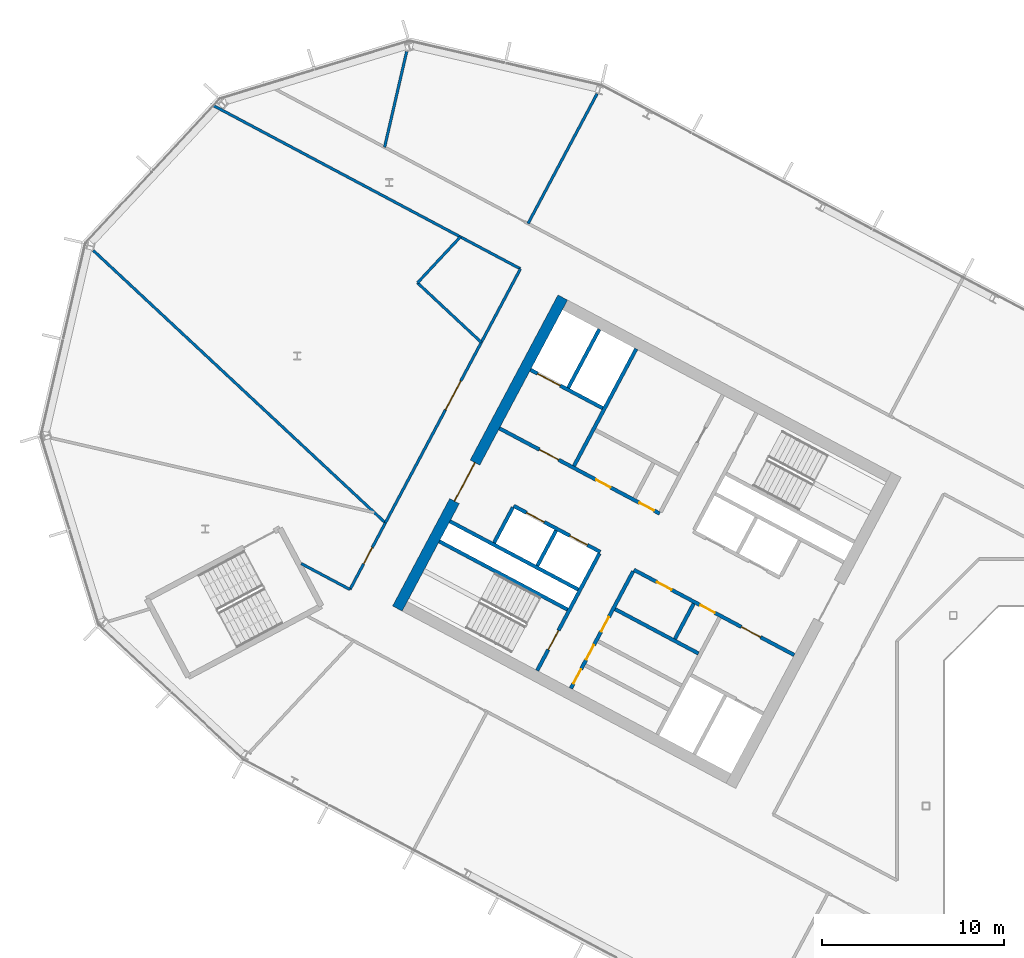
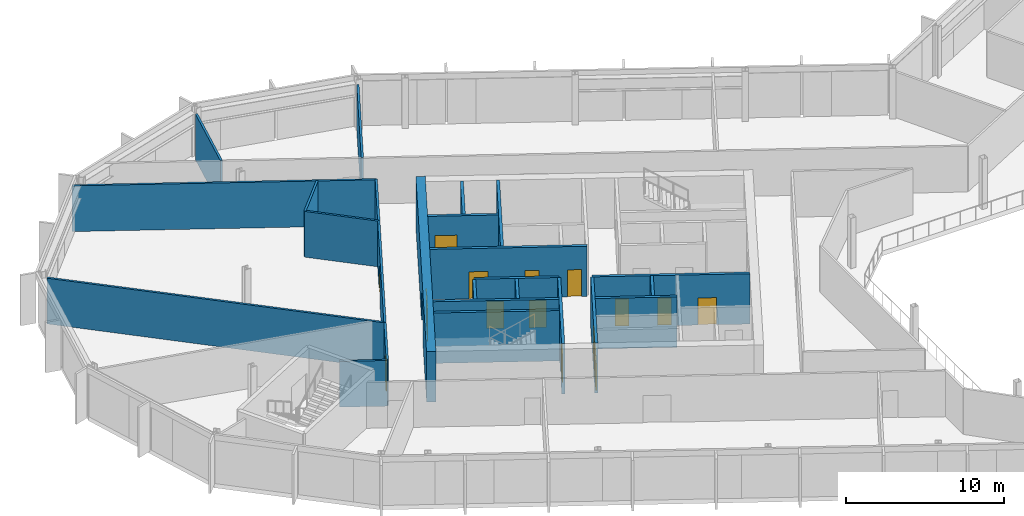
# One storey, part 14 of 27: 24 walls, 16 doors, 16 openings.
"""IFC4 building model written with IfcOpenShell, lengths in metres."""

from ifc_helpers import new_model, si_unit, direction, frame, frame_2d, origin, place, context, subcontext, project, spatial, rectangle, extrude, material, layer, layer_set, type_object, element, fill, save


model = new_model("IFC4")

# Units and contexts
model_context = context("Model", 3, precision=1e-05, world=origin(), true_north=direction((0.0, 1.0)))
body_context = subcontext(model_context, "Body", "Model", "MODEL_VIEW")
ifc_project = project(units=[si_unit("LENGTHUNIT", "METRE"), si_unit("AREAUNIT", "SQUARE_METRE"), si_unit("VOLUMEUNIT", "CUBIC_METRE"), si_unit("PLANEANGLEUNIT", "RADIAN"), si_unit("MASSUNIT", "GRAM", prefix="KILO")], contexts=[model_context])

# Site, building, storey
site_placement = place(None, origin())
site = spatial("IfcSite", under=ifc_project, at=site_placement, CompositionType="ELEMENT")
building_placement = place(site_placement, origin())
building = spatial("IfcBuilding", under=site, at=building_placement, Name="Cormorant Relay Tower", CompositionType="ELEMENT")
storey_placement = place(building_placement, frame((0.0, 0.0, 240.300048828125)))
storey = spatial("IfcBuildingStorey", under=building, at=storey_placement, Name="L53", CompositionType="ELEMENT", Elevation=240.300048828125)

# Walls
ifc_material_1 = material(Name="Concrete 40 MPa", Category="concrete")
ifc_layer_1 = layer(ifc_material_1, 0.199951171875)
ifc_layer_set_1 = layer_set([ifc_layer_1], Name="Core internal wall 200")
wall_type_1 = type_object("IfcWallType", Name="Core internal wall 200", PredefinedType="SOLIDWALL", material=ifc_layer_set_1)
for number, where, z_axis, x_axis, name in (
    (1, (-24.79052734375, 11.142822265625, 0.0), (0.0, 0.0, 1.0), (-0.469487830541, -0.882938942948, 0.0), "L53 core A shaft and room wall"),
    (2, (-32.3662109375, 15.1708984375, 0.0), (0.0, 0.0, 1.0), (-0.469487830541, -0.882938942948, 0.0), "L53 core A shaft and room wall"),
):
    element("IfcWall", number, at=place(storey_placement, frame(where, z_axis=z_axis, x_axis=x_axis)), inside=storey, type_object=wall_type_1, Name=name, PredefinedType="SOLIDWALL", context=body_context, shape_type="SweptSolid", body=[
        extrude(rectangle(XDim=2.2001953125, YDim=0.199951171875, at=frame_2d((1.10009765625, 0.0))), origin(), (0.0, 0.0, 1.0), 3.89990234375),
    ])

# Wall, openings, doors
ifc_material_2 = material(Name="Concrete 50 MPa", Category="concrete")
ifc_layer_2 = layer(ifc_material_2, 0.199951171875)
ifc_layer_set_2 = layer_set([ifc_layer_2], Name="Core shaft wall 200")
wall_type_2 = type_object("IfcWallType", Name="Core shaft wall 200", PredefinedType="SHEAR", material=ifc_layer_set_2)
wall_1_placement = place(storey_placement, frame((-28.128173828125, 12.91748046875, 0.0), z_axis=(0.0, 0.0, 1.0), x_axis=(-0.469454336211, -0.882956752176, 0.0)))
wall_1 = element("IfcWall", 3, at=wall_1_placement, inside=storey, type_object=wall_type_2, Name="L53 core A shaft wall", PredefinedType="SHEAR", context=body_context, shape_type="SweptSolid", body=[
    extrude(rectangle(XDim=7.300048828125, YDim=0.199951171875, at=frame_2d((3.64990234375, 0.0))), origin(), (0.0, 0.0, 1.0), 3.89990234375),
])
opening_1_placement = place(wall_1_placement, frame((2.85009765625, 0.0, 0.0)))
opening_1 = element("IfcOpeningElement", 4, at=opening_1_placement, cuts=wall_1, Name="Opening CDD-289", PredefinedType="OPENING", context=body_context, shape_type="SweptSolid", body=[
    extrude(rectangle(XDim=0.89990234375, YDim=2.10009765625, at=frame_2d((0.449951171875, 1.050048828125))), frame((0.0, 0.10986328125, 0.0), z_axis=(0.0, -1.0, 0.0), x_axis=(1.0, 0.0, 0.0)), (0.0, 0.0, 1.0), 0.219970703125),
])
opening_2_placement = place(wall_1_placement, frame((4.60009765625, 0.0, 0.0)))
opening_2 = element("IfcOpeningElement", 5, at=opening_2_placement, cuts=wall_1, Name="Opening CDD-290", PredefinedType="OPENING", context=body_context, shape_type="SweptSolid", body=[
    extrude(rectangle(XDim=0.89990234375, YDim=2.10009765625, at=frame_2d((0.449951171875, 1.050048828125))), frame((0.0, 0.10986328125, 0.0), z_axis=(0.0, -1.0, 0.0), x_axis=(1.0, 0.0, 0.0)), (0.0, 0.0, 1.0), 0.219970703125),
])
opening_3_placement = place(wall_1_placement, frame((6.10009765625, 0.0, 0.0)))
opening_3 = element("IfcOpeningElement", 6, at=opening_3_placement, cuts=wall_1, Name="Opening CDD-291", PredefinedType="OPENING", context=body_context, shape_type="SweptSolid", body=[
    extrude(rectangle(XDim=0.89990234375, YDim=2.10009765625, at=frame_2d((0.449951171875, 1.050048828125))), frame((0.0, 0.10986328125, 0.0), z_axis=(0.0, -1.0, 0.0), x_axis=(1.0, 0.0, 0.0)), (0.0, 0.0, 1.0), 0.219970703125),
])
ifc_material_3 = material(Name="Steel fire door", Category="steel")
door_type_1 = type_object("IfcDoorType", Name="Core room door 900x2100", OperationType="SINGLE_SWING_LEFT", PredefinedType="DOOR", material=ifc_material_3)
door_1_placement = place(opening_1_placement, origin())
door_1 = element("IfcDoor", 7, at=door_1_placement, inside=storey, type_object=door_type_1, Name="Core room door 900x2100", OperationType="SINGLE_SWING_LEFT", OverallHeight=2.10009765625, OverallWidth=0.89990234375, PredefinedType="DOOR", context=body_context, shape_type="SweptSolid", body=[
    extrude(rectangle(XDim=0.89990234375, YDim=2.10009765625, at=frame_2d((0.449951171875, 1.050048828125))), frame((0.0, 0.02490234375, 0.0), z_axis=(0.0, -1.0, 0.0), x_axis=(1.0, 0.0, 0.0)), (0.0, 0.0, 1.0), 0.050048828125),
])
fill(opening_1, door_1)
door_2_placement = place(opening_2_placement, origin())
door_2 = element("IfcDoor", 8, at=door_2_placement, inside=storey, type_object=door_type_1, Name="Core room door 900x2100", OperationType="SINGLE_SWING_LEFT", OverallHeight=2.10009765625, OverallWidth=0.89990234375, PredefinedType="DOOR", context=body_context, shape_type="SweptSolid", body=[
    extrude(rectangle(XDim=0.89990234375, YDim=2.10009765625, at=frame_2d((0.449951171875, 1.050048828125))), frame((0.0, 0.02490234375, 0.0), z_axis=(0.0, -1.0, 0.0), x_axis=(1.0, 0.0, 0.0)), (0.0, 0.0, 1.0), 0.050048828125),
])
fill(opening_2, door_2)
door_3_placement = place(opening_3_placement, origin())
door_3 = element("IfcDoor", 9, at=door_3_placement, inside=storey, type_object=door_type_1, Name="Core room door 900x2100", OperationType="SINGLE_SWING_LEFT", OverallHeight=2.10009765625, OverallWidth=0.89990234375, PredefinedType="DOOR", context=body_context, shape_type="SweptSolid", body=[
    extrude(rectangle(XDim=0.89990234375, YDim=2.10009765625, at=frame_2d((0.449951171875, 1.050048828125))), frame((0.0, 0.02490234375, 0.0), z_axis=(0.0, -1.0, 0.0), x_axis=(1.0, 0.0, 0.0)), (0.0, 0.0, 1.0), 0.050048828125),
])
fill(opening_3, door_3)

# Wall, opening, door
wall_2_placement = place(storey_placement, frame((-29.982421875, 13.9033203125, 0.0), z_axis=(0.0, 0.0, 1.0), x_axis=(-0.469454336211, -0.882956752176, 0.0)))
wall_2 = element("IfcWall", 10, at=wall_2_placement, inside=storey, type_object=wall_type_2, Name="L53 core A shaft wall", PredefinedType="SHEAR", context=body_context, shape_type="SweptSolid", body=[
    extrude(rectangle(XDim=7.300048828125, YDim=0.199951171875, at=frame_2d((3.64990234375, 0.0))), origin(), (0.0, 0.0, 1.0), 3.89990234375),
])
opening_4_placement = place(wall_2_placement, frame((4.800048828125, 0.0, 0.0)))
opening_4 = element("IfcOpeningElement", 11, at=opening_4_placement, cuts=wall_2, Name="Opening CDB-039", PredefinedType="OPENING", context=body_context, shape_type="SweptSolid", body=[
    extrude(rectangle(XDim=1.199951171875, YDim=2.10009765625, at=frame_2d((0.60009765625, 1.050048828125))), frame((0.0, 0.10986328125, 0.0), z_axis=(0.0, -1.0, 0.0), x_axis=(1.0, 0.0, 0.0)), (0.0, 0.0, 1.0), 0.219970703125),
])
ifc_material_4 = material(Name="Steel fire door", Category="steel")
door_type_2 = type_object("IfcDoorType", Name="Core stair door 1200x2100", OperationType="SINGLE_SWING_LEFT", PredefinedType="DOOR", material=ifc_material_4)
door_4_placement = place(opening_4_placement, frame((1.199951171875, 0.0, 0.0), z_axis=(0.0, 0.0, 1.0), x_axis=(-1.0, 0.0, 0.0)))
door_4 = element("IfcDoor", 12, at=door_4_placement, inside=storey, type_object=door_type_2, Name="Core stair door 1200x2100", OperationType="SINGLE_SWING_RIGHT", OverallHeight=2.10009765625, OverallWidth=1.199951171875, PredefinedType="DOOR", context=body_context, shape_type="SweptSolid", body=[
    extrude(rectangle(XDim=1.199951171875, YDim=2.10009765625, at=frame_2d((0.60009765625, 1.050048828125))), frame((0.0, 0.02490234375, 0.0), z_axis=(0.0, -1.0, 0.0), x_axis=(1.0, 0.0, 0.0)), (0.0, 0.0, 1.0), 0.050048828125),
])
fill(opening_4, door_4)

# Walls
wall_3_placement = place(storey_placement, frame((-27.955322265625, 25.170654296875, 0.0), z_axis=(0.0, 0.0, 1.0), x_axis=(-0.469480409012, -0.88294288918, 0.0)))
element("IfcWall", 13, at=wall_3_placement, inside=storey, type_object=wall_type_2, Name="L53 core A shaft wall", PredefinedType="SHEAR", context=body_context, shape_type="SweptSolid", body=[
    extrude(rectangle(XDim=7.300048828125, YDim=0.199951171875, at=frame_2d((3.64990234375, 0.0))), origin(), (0.0, 0.0, 1.0), 3.89990234375),
])
wall_4_placement = place(storey_placement, frame((-34.750244140625, 16.4384765625, 0.0), z_axis=(0.0, 0.0, 1.0), x_axis=(-0.469401318492, -0.882984938828, 0.0)))
element("IfcWall", 14, at=wall_4_placement, inside=storey, type_object=wall_type_2, Name="L53 core A shaft wall", PredefinedType="SHEAR", context=body_context, shape_type="SweptSolid", body=[
    extrude(rectangle(XDim=2.199951171875, YDim=0.199951171875, at=frame_2d((1.10009765625, 0.0))), origin(), (0.0, 0.0, 1.0), 3.89990234375),
])
wall_5_placement = place(storey_placement, frame((-29.986083984375, 26.250244140625, 0.0), z_axis=(0.0, 0.0, 1.0), x_axis=(-0.469494272526, -0.882935517501, 0.0)))
element("IfcWall", 15, at=wall_5_placement, inside=storey, type_object=wall_type_2, Name="L53 core A shaft wall", PredefinedType="SHEAR", context=body_context, shape_type="SweptSolid", body=[
    extrude(rectangle(XDim=3.64990234375, YDim=0.199951171875, at=frame_2d((1.824951171875, 0.0))), origin(), (0.0, 0.0, 1.0), 3.89990234375),
])

# Wall, opening, door
wall_6_placement = place(storey_placement, frame((-29.80419921875, 21.906494140625, 0.0), z_axis=(0.0, 0.0, 1.0), x_axis=(-0.882960433586, 0.469447412093, 0.0)))
wall_6 = element("IfcWall", 16, at=wall_6_placement, inside=storey, type_object=wall_type_2, Name="L53 core A shaft wall", PredefinedType="SHEAR", context=body_context, shape_type="SweptSolid", body=[
    extrude(rectangle(XDim=4.5, YDim=0.199951171875, at=frame_2d((2.25, 0.0))), origin(), (0.0, 0.0, 1.0), 3.89990234375),
])
opening_5_placement = place(wall_6_placement, frame((2.64990234375, 0.0, 0.0)))
opening_5 = element("IfcOpeningElement", 17, at=opening_5_placement, cuts=wall_6, Name="Opening LD3-015", PredefinedType="OPENING", context=body_context, shape_type="SweptSolid", body=[
    extrude(rectangle(XDim=1.39990234375, YDim=2.39990234375, at=frame_2d((0.699951171875, 1.199951171875))), frame((0.0, 0.10986328125, 0.0), z_axis=(0.0, -1.0, 0.0), x_axis=(1.0, 0.0, 0.0)), (0.0, 0.0, 1.0), 0.219970703125),
])
ifc_material_5 = material(Name="Stainless steel 316", Category="steel")
door_type_3 = type_object("IfcDoorType", Name="Lift landing door 1400x2400", OperationType="DOUBLE_DOOR_SLIDING", PredefinedType="DOOR", material=ifc_material_5)
door_5_placement = place(opening_5_placement, origin())
door_5 = element("IfcDoor", 18, at=door_5_placement, inside=storey, type_object=door_type_3, Name="SV1 landing door", OperationType="DOUBLE_DOOR_SLIDING", OverallHeight=2.39990234375, OverallWidth=1.39990234375, PredefinedType="DOOR", context=body_context, shape_type="SweptSolid", body=[
    extrude(rectangle(XDim=1.39990234375, YDim=2.39990234375, at=frame_2d((0.699951171875, 1.199951171875))), frame((0.0, 0.02490234375, 0.0), z_axis=(0.0, -1.0, 0.0), x_axis=(1.0, 0.0, 0.0)), (0.0, 0.0, 1.0), 0.050048828125),
])
fill(opening_5, door_5)

# Wall, openings, doors
wall_7_placement = place(storey_placement, frame((-26.66162109375, 16.1015625, 0.0), z_axis=(0.0, 0.0, 1.0), x_axis=(-0.882940221191, 0.469485426614, 0.0)))
wall_7 = element("IfcWall", 19, at=wall_7_placement, inside=storey, type_object=wall_type_2, Name="L53 core A shaft wall", PredefinedType="SHEAR", context=body_context, shape_type="SweptSolid", body=[
    extrude(rectangle(XDim=10.0, YDim=0.199951171875, at=frame_2d((5.0, 0.0))), origin(), (0.0, 0.0, 1.0), 3.89990234375),
])
opening_6_placement = place(wall_7_placement, frame((6.300048828125, 0.0, 0.0)))
opening_6 = element("IfcOpeningElement", 20, at=opening_6_placement, cuts=wall_7, Name="Opening CDC-034", PredefinedType="OPENING", context=body_context, shape_type="SweptSolid", body=[
    extrude(rectangle(XDim=1.199951171875, YDim=2.10009765625, at=frame_2d((0.60009765625, 1.050048828125))), frame((0.0, 0.10986328125, 0.0), z_axis=(0.0, -1.0, 0.0), x_axis=(1.0, 0.0, 0.0)), (0.0, 0.0, 1.0), 0.219970703125),
])
opening_7_placement = place(wall_7_placement, frame((0.360107421875, 0.0, 0.0)))
opening_7 = element("IfcOpeningElement", 21, at=opening_7_placement, cuts=wall_7, Name="Opening CDD-234", PredefinedType="OPENING", context=body_context, shape_type="SweptSolid", body=[
    extrude(rectangle(XDim=0.89990234375, YDim=2.10009765625, at=frame_2d((0.449951171875, 1.050048828125))), frame((0.0, 0.10986328125, 0.0), z_axis=(0.0, -1.0, 0.0), x_axis=(1.0, 0.0, 0.0)), (0.0, 0.0, 1.0), 0.219970703125),
])
opening_8_placement = place(wall_7_placement, frame((3.06005859375, 0.0, 0.0)))
opening_8 = element("IfcOpeningElement", 22, at=opening_8_placement, cuts=wall_7, Name="Opening CDD-288", PredefinedType="OPENING", context=body_context, shape_type="SweptSolid", body=[
    extrude(rectangle(XDim=0.89990234375, YDim=2.10009765625, at=frame_2d((0.449951171875, 1.050048828125))), frame((0.0, 0.10986328125, 0.0), z_axis=(0.0, -1.0, 0.0), x_axis=(1.0, 0.0, 0.0)), (0.0, 0.0, 1.0), 0.219970703125),
])
ifc_material_6 = material(Name="Steel fire door", Category="steel")
door_type_4 = type_object("IfcDoorType", Name="Core lobby door 1200x2100", OperationType="SINGLE_SWING_LEFT", PredefinedType="DOOR", material=ifc_material_6)
door_6_placement = place(opening_6_placement, origin())
door_6 = element("IfcDoor", 23, at=door_6_placement, inside=storey, type_object=door_type_4, Name="Core lobby door 1200x2100", OperationType="SINGLE_SWING_LEFT", OverallHeight=2.10009765625, OverallWidth=1.199951171875, PredefinedType="DOOR", context=body_context, shape_type="SweptSolid", body=[
    extrude(rectangle(XDim=1.199951171875, YDim=2.10009765625, at=frame_2d((0.60009765625, 1.050048828125))), frame((0.0, 0.02490234375, 0.0), z_axis=(0.0, -1.0, 0.0), x_axis=(1.0, 0.0, 0.0)), (0.0, 0.0, 1.0), 0.050048828125),
])
fill(opening_6, door_6)
door_7_placement = place(opening_7_placement, frame((0.89990234375, 0.0, 0.0), z_axis=(0.0, 0.0, 1.0), x_axis=(-1.0, 0.0, 0.0)))
door_7 = element("IfcDoor", 24, at=door_7_placement, inside=storey, type_object=door_type_1, Name="Core room door 900x2100", OperationType="SINGLE_SWING_RIGHT", OverallHeight=2.10009765625, OverallWidth=0.89990234375, PredefinedType="DOOR", context=body_context, shape_type="SweptSolid", body=[
    extrude(rectangle(XDim=0.89990234375, YDim=2.10009765625, at=frame_2d((0.449951171875, 1.050048828125))), frame((0.0, 0.02490234375, 0.0), z_axis=(0.0, -1.0, 0.0), x_axis=(1.0, 0.0, 0.0)), (0.0, 0.0, 1.0), 0.050048828125),
])
fill(opening_7, door_7)
door_8_placement = place(opening_8_placement, origin())
door_8 = element("IfcDoor", 25, at=door_8_placement, inside=storey, type_object=door_type_1, Name="Core room door 900x2100", OperationType="SINGLE_SWING_LEFT", OverallHeight=2.10009765625, OverallWidth=0.89990234375, PredefinedType="DOOR", context=body_context, shape_type="SweptSolid", body=[
    extrude(rectangle(XDim=0.89990234375, YDim=2.10009765625, at=frame_2d((0.449951171875, 1.050048828125))), frame((0.0, 0.02490234375, 0.0), z_axis=(0.0, -1.0, 0.0), x_axis=(1.0, 0.0, 0.0)), (0.0, 0.0, 1.0), 0.050048828125),
])
fill(opening_8, door_8)

wall_8_placement = place(storey_placement, frame((-19.251708984375, 8.31103515625, 0.0), z_axis=(0.0, 0.0, 1.0), x_axis=(-0.882955722218, 0.469456273365, 0.0)))
wall_8 = element("IfcWall", 26, at=wall_8_placement, inside=storey, type_object=wall_type_2, Name="L53 core A shaft wall", PredefinedType="SHEAR", context=body_context, shape_type="SweptSolid", body=[
    extrude(rectangle(XDim=10.0, YDim=0.199951171875, at=frame_2d((5.0, 0.0))), origin(), (0.0, 0.0, 1.0), 3.89990234375),
])
opening_9_placement = place(wall_8_placement, frame((2.10009765625, 0.0, 0.0)))
opening_9 = element("IfcOpeningElement", 27, at=opening_9_placement, cuts=wall_8, Name="Opening CDC-033", PredefinedType="OPENING", context=body_context, shape_type="SweptSolid", body=[
    extrude(rectangle(XDim=1.199951171875, YDim=2.10009765625, at=frame_2d((0.60009765625, 1.050048828125))), frame((0.0, 0.10986328125, 0.0), z_axis=(0.0, -1.0, 0.0), x_axis=(1.0, 0.0, 0.0)), (0.0, 0.0, 1.0), 0.219970703125),
])
opening_10_placement = place(wall_8_placement, frame((4.9599609375, 0.0, 0.0)))
opening_10 = element("IfcOpeningElement", 28, at=opening_10_placement, cuts=wall_8, Name="Opening CDD-232", PredefinedType="OPENING", context=body_context, shape_type="SweptSolid", body=[
    extrude(rectangle(XDim=0.89990234375, YDim=2.10009765625, at=frame_2d((0.449951171875, 1.050048828125))), frame((0.0, 0.10986328125, 0.0), z_axis=(0.0, -1.0, 0.0), x_axis=(1.0, 0.0, 0.0)), (0.0, 0.0, 1.0), 0.219970703125),
])
opening_11_placement = place(wall_8_placement, frame((7.659912109375, 0.0, 0.0)))
opening_11 = element("IfcOpeningElement", 29, at=opening_11_placement, cuts=wall_8, Name="Opening CDD-233", PredefinedType="OPENING", context=body_context, shape_type="SweptSolid", body=[
    extrude(rectangle(XDim=0.89990234375, YDim=2.10009765625, at=frame_2d((0.449951171875, 1.050048828125))), frame((0.0, 0.10986328125, 0.0), z_axis=(0.0, -1.0, 0.0), x_axis=(1.0, 0.0, 0.0)), (0.0, 0.0, 1.0), 0.219970703125),
])
door_9_placement = place(opening_9_placement, origin())
door_9 = element("IfcDoor", 30, at=door_9_placement, inside=storey, type_object=door_type_4, Name="Core lobby door 1200x2100", OperationType="SINGLE_SWING_RIGHT", OverallHeight=2.10009765625, OverallWidth=1.199951171875, PredefinedType="DOOR", context=body_context, shape_type="SweptSolid", body=[
    extrude(rectangle(XDim=1.199951171875, YDim=2.10009765625, at=frame_2d((0.60009765625, 1.050048828125))), frame((0.0, 0.02490234375, 0.0), z_axis=(0.0, -1.0, 0.0), x_axis=(1.0, 0.0, 0.0)), (0.0, 0.0, 1.0), 0.050048828125),
])
fill(opening_9, door_9)
door_10_placement = place(opening_10_placement, origin())
door_10 = element("IfcDoor", 31, at=door_10_placement, inside=storey, type_object=door_type_1, Name="Core room door 900x2100", OperationType="SINGLE_SWING_LEFT", OverallHeight=2.10009765625, OverallWidth=0.89990234375, PredefinedType="DOOR", context=body_context, shape_type="SweptSolid", body=[
    extrude(rectangle(XDim=0.89990234375, YDim=2.10009765625, at=frame_2d((0.449951171875, 1.050048828125))), frame((0.0, 0.02490234375, 0.0), z_axis=(0.0, -1.0, 0.0), x_axis=(1.0, 0.0, 0.0)), (0.0, 0.0, 1.0), 0.050048828125),
])
fill(opening_10, door_10)
door_11_placement = place(opening_11_placement, origin())
door_11 = element("IfcDoor", 32, at=door_11_placement, inside=storey, type_object=door_type_1, Name="Core room door 900x2100", OperationType="SINGLE_SWING_LEFT", OverallHeight=2.10009765625, OverallWidth=0.89990234375, PredefinedType="DOOR", context=body_context, shape_type="SweptSolid", body=[
    extrude(rectangle(XDim=0.89990234375, YDim=2.10009765625, at=frame_2d((0.449951171875, 1.050048828125))), frame((0.0, 0.02490234375, 0.0), z_axis=(0.0, -1.0, 0.0), x_axis=(1.0, 0.0, 0.0)), (0.0, 0.0, 1.0), 0.050048828125),
])
fill(opening_11, door_11)

wall_9_placement = place(storey_placement, frame((-29.935302734375, 13.991455078125, 0.0), z_axis=(0.0, 0.0, 1.0), x_axis=(-0.882952937579, 0.469461510692, 0.0)))
wall_9 = element("IfcWall", 33, at=wall_9_placement, inside=storey, type_object=wall_type_2, Name="L53 core A shaft wall", PredefinedType="SHEAR", context=body_context, shape_type="SweptSolid", body=[
    extrude(rectangle(XDim=5.400146484375, YDim=0.199951171875, at=frame_2d((2.7001953125, 0.0))), origin(), (0.0, 0.0, 1.0), 3.89990234375),
])
opening_12_placement = place(wall_9_placement, frame((0.800048828125, 0.0, 0.0)))
opening_12 = element("IfcOpeningElement", 34, at=opening_12_placement, cuts=wall_9, Name="Opening LD1-059", PredefinedType="OPENING", context=body_context, shape_type="SweptSolid", body=[
    extrude(rectangle(XDim=1.10009765625, YDim=2.10009765625, at=frame_2d((0.550048828125, 1.050048828125))), frame((0.0, 0.10986328125, 0.0), z_axis=(0.0, -1.0, 0.0), x_axis=(1.0, 0.0, 0.0)), (0.0, 0.0, 1.0), 0.219970703125),
])
opening_13_placement = place(wall_9_placement, frame((3.5, 0.0, 0.0)))
opening_13 = element("IfcOpeningElement", 35, at=opening_13_placement, cuts=wall_9, Name="Opening LD1-060", PredefinedType="OPENING", context=body_context, shape_type="SweptSolid", body=[
    extrude(rectangle(XDim=1.10009765625, YDim=2.10009765625, at=frame_2d((0.550048828125, 1.050048828125))), frame((0.0, 0.10986328125, 0.0), z_axis=(0.0, -1.0, 0.0), x_axis=(1.0, 0.0, 0.0)), (0.0, 0.0, 1.0), 0.219970703125),
])
ifc_material_7 = material(Name="Stainless steel 316", Category="steel")
door_type_5 = type_object("IfcDoorType", Name="Lift landing door 1100x2100", OperationType="DOUBLE_DOOR_SLIDING", PredefinedType="DOOR", material=ifc_material_7)
door_12_placement = place(opening_12_placement, origin())
door_12 = element("IfcDoor", 36, at=door_12_placement, inside=storey, type_object=door_type_5, Name="MR1 landing door", OperationType="DOUBLE_DOOR_SLIDING", OverallHeight=2.10009765625, OverallWidth=1.10009765625, PredefinedType="DOOR", context=body_context, shape_type="SweptSolid", body=[
    extrude(rectangle(XDim=1.10009765625, YDim=2.10009765625, at=frame_2d((0.550048828125, 1.050048828125))), frame((0.0, 0.02490234375, 0.0), z_axis=(0.0, -1.0, 0.0), x_axis=(1.0, 0.0, 0.0)), (0.0, 0.0, 1.0), 0.050048828125),
])
fill(opening_12, door_12)
door_13_placement = place(opening_13_placement, origin())
door_13 = element("IfcDoor", 37, at=door_13_placement, inside=storey, type_object=door_type_5, Name="MR2 landing door", OperationType="DOUBLE_DOOR_SLIDING", OverallHeight=2.10009765625, OverallWidth=1.10009765625, PredefinedType="DOOR", context=body_context, shape_type="SweptSolid", body=[
    extrude(rectangle(XDim=1.10009765625, YDim=2.10009765625, at=frame_2d((0.550048828125, 1.050048828125))), frame((0.0, 0.02490234375, 0.0), z_axis=(0.0, -1.0, 0.0), x_axis=(1.0, 0.0, 0.0)), (0.0, 0.0, 1.0), 0.050048828125),
])
fill(opening_13, door_13)

# Walls
wall_10_placement = place(storey_placement, frame((-24.5283203125, 8.3984375, 0.0), z_axis=(0.0, 0.0, 1.0), x_axis=(-0.882953967957, 0.469459572775, 0.0)))
element("IfcWall", 38, at=wall_10_placement, inside=storey, type_object=wall_type_2, Name="L53 core A shaft wall", PredefinedType="SHEAR", context=body_context, shape_type="SweptSolid", body=[
    extrude(rectangle(XDim=5.199951171875, YDim=0.199951171875, at=frame_2d((2.60009765625, 0.0))), origin(), (0.0, 0.0, 1.0), 3.89990234375),
])
for number, where, z_axis, x_axis, name in (
    (39, (-31.150390625, 11.91943359375, 0.0), (0.0, 0.0, 1.0), (-0.882940221191, 0.469485426614, 0.0), "L53 core A shaft wall"),
    (40, (-31.7373046875, 10.815673828125, 0.0), (0.0, 0.0, 1.0), (-0.882940221191, 0.469485426614, 0.0), "L53 core A shaft wall"),
):
    element("IfcWall", number, at=place(storey_placement, frame(where, z_axis=z_axis, x_axis=x_axis)), inside=storey, type_object=wall_type_2, Name=name, PredefinedType="SHEAR", context=body_context, shape_type="SweptSolid", body=[
        extrude(rectangle(XDim=8.0, YDim=0.199951171875, at=frame_2d((4.0, 0.0))), origin(), (0.0, 0.0, 1.0), 3.89990234375),
    ])

# Wall, opening, door
ifc_material_8 = material(Name="Concrete 50 MPa", Category="concrete")
ifc_layer_3 = layer(ifc_material_8, 0.60009765625)
ifc_layer_set_3 = layer_set([ifc_layer_3], Name="Core wall 600")
wall_type_3 = type_object("IfcWallType", Name="Core wall 600", PredefinedType="SHEAR", material=ifc_layer_set_3)
wall_11_placement = place(storey_placement, frame((-32.000244140625, 28.000732421875, 0.0), z_axis=(0.0, 0.0, 1.0), x_axis=(-0.469468958625, -0.882948977511, 0.0)))
wall_11 = element("IfcWall", 41, at=wall_11_placement, inside=storey, type_object=wall_type_3, Name="L53 core A wall", PredefinedType="SHEAR", context=body_context, shape_type="SweptSolid", body=[
    extrude(rectangle(XDim=19.39990234375, YDim=0.60009765625, at=frame_2d((9.699951171875, 0.0))), origin(), (0.0, 0.0, 1.0), 3.89990234375),
])
opening_14_placement = place(wall_11_placement, frame((10.300048828125, 0.0, 0.0)))
opening_14 = element("IfcOpeningElement", 42, at=opening_14_placement, cuts=wall_11, Name="Opening CDA-041", PredefinedType="OPENING", context=body_context, shape_type="SweptSolid", body=[
    extrude(rectangle(XDim=2.39990234375, YDim=2.39990234375, at=frame_2d((1.199951171875, 1.199951171875))), frame((0.0, 0.31005859375, 0.0), z_axis=(0.0, -1.0, 0.0), x_axis=(1.0, 0.0, 0.0)), (0.0, 0.0, 1.0), 0.6201171875),
])
ifc_material_9 = material(Name="Steel fire door", Category="steel")
door_type_6 = type_object("IfcDoorType", Name="Core lobby door 2400x2400", OperationType="DOUBLE_DOOR_SINGLE_SWING", PredefinedType="DOOR", material=ifc_material_9)
door_14_placement = place(opening_14_placement, origin())
door_14 = element("IfcDoor", 43, at=door_14_placement, inside=storey, type_object=door_type_6, Name="Core lobby door 2400x2400", OperationType="DOUBLE_DOOR_SINGLE_SWING", OverallHeight=2.39990234375, OverallWidth=2.39990234375, PredefinedType="DOOR", context=body_context, shape_type="SweptSolid", body=[
    extrude(rectangle(XDim=2.39990234375, YDim=2.39990234375, at=frame_2d((1.199951171875, 1.199951171875))), frame((0.0, 0.02490234375, 0.0), z_axis=(0.0, -1.0, 0.0), x_axis=(1.0, 0.0, 0.0)), (0.0, 0.0, 1.0), 0.050048828125),
])
fill(opening_14, door_14)

ifc_material_10 = material(Name="Gypsum board fire partition")
ifc_layer_4 = layer(ifc_material_10, 0.14990234375)
ifc_layer_set_4 = layer_set([ifc_layer_4], Name="Corridor partition 150 EI 60")
wall_type_4 = type_object("IfcWallType", Name="Corridor partition 150 EI 60", PredefinedType="PARTITIONING", material=ifc_layer_set_4)
wall_12_placement = place(storey_placement, frame((-41.76904296875, 15.592041015625, 0.0), z_axis=(0.0, 0.0, 1.0), x_axis=(0.469444027343, 0.882962233163, 0.0)))
wall_12 = element("IfcWall", 44, at=wall_12_placement, inside=storey, type_object=wall_type_4, Name="wall/L53/part/006", PredefinedType="PARTITIONING", context=body_context, shape_type="SweptSolid", body=[
    extrude(rectangle(XDim=15.84228515625, YDim=0.14990234375, at=frame_2d((7.921142578125, 0.0))), origin(), (0.0, 0.0, 1.0), 3.5400390625),
])
opening_15_placement = place(wall_12_placement, frame((7.050048828125, 0.0, 0.0)))
opening_15 = element("IfcOpeningElement", 45, at=opening_15_placement, cuts=wall_12, Name="Opening DD-028", PredefinedType="OPENING", context=body_context, shape_type="SweptSolid", body=[
    extrude(rectangle(XDim=1.800048828125, YDim=2.10009765625, at=frame_2d((0.89990234375, 1.050048828125))), frame((0.0, 0.0849609375, 0.0), z_axis=(0.0, -1.0, 0.0), x_axis=(1.0, 0.0, 0.0)), (0.0, 0.0, 1.0), 0.169921875),
])
ifc_material_11 = material(Name="Timber door leaf", Category="wood")
door_type_7 = type_object("IfcDoorType", Name="Suite double door 1800x2100", OperationType="DOUBLE_DOOR_SINGLE_SWING", PredefinedType="DOOR", material=ifc_material_11)
door_15_placement = place(opening_15_placement, origin())
door_15 = element("IfcDoor", 46, at=door_15_placement, inside=storey, type_object=door_type_7, Name="door/L53/006", OperationType="DOUBLE_DOOR_SINGLE_SWING", OverallHeight=2.10009765625, OverallWidth=1.800048828125, PredefinedType="DOOR", context=body_context, shape_type="SweptSolid", body=[
    extrude(rectangle(XDim=1.800048828125, YDim=2.10009765625, at=frame_2d((0.89990234375, 1.050048828125))), frame((0.0, 0.02490234375, 0.0), z_axis=(0.0, -1.0, 0.0), x_axis=(1.0, 0.0, 0.0)), (0.0, 0.0, 1.0), 0.050048828125),
])
fill(opening_15, door_15)

# Walls
wall_13_placement = place(storey_placement, frame((-34.33203125, 29.580078125, 0.0), z_axis=(0.0, 0.0, 1.0), x_axis=(-0.882939350293, 0.46948706447, 0.0)))
element("IfcWall", 47, at=wall_13_placement, inside=storey, type_object=wall_type_4, Name="wall/L53/part/007", PredefinedType="PARTITIONING", context=body_context, shape_type="SweptSolid", body=[
    extrude(rectangle(XDim=19.327392578125, YDim=0.14990234375, at=frame_2d((9.66357421875, 0.0))), origin(), (0.0, 0.0, 1.0), 3.5400390625),
])
wall_14_placement = place(storey_placement, frame((-46.403076171875, 13.346923828125, 0.0), z_axis=(0.0, 0.0, 1.0), x_axis=(0.882959580004, -0.46944901755, 0.0)))
element("IfcWall", 48, at=wall_14_placement, inside=storey, type_object=wall_type_4, Name="wall/L53/part/012", PredefinedType="PARTITIONING", context=body_context, shape_type="SweptSolid", body=[
    extrude(rectangle(XDim=3.03759765625, YDim=0.14990234375, at=frame_2d((1.518798828125, 0.0))), origin(), (0.0, 0.0, 1.0), 3.5400390625),
])

# Wall, opening, door
wall_15_placement = place(storey_placement, frame((-41.76904296875, 15.592041015625, 0.0), z_axis=(0.0, 0.0, 1.0), x_axis=(-0.468884925056, -0.883259263781, 0.0)))
wall_15 = element("IfcWall", 49, at=wall_15_placement, inside=storey, type_object=wall_type_4, Name="wall/L53/part/013", PredefinedType="PARTITIONING", context=body_context, shape_type="SweptSolid", body=[
    extrude(rectangle(XDim=4.160888671875, YDim=0.14990234375, at=frame_2d((2.08056640625, 0.0))), origin(), (0.0, 0.0, 1.0), 3.5400390625),
])
opening_16_placement = place(wall_15_placement, frame((1.550048828125, 0.0, 0.0)))
opening_16 = element("IfcOpeningElement", 50, at=opening_16_placement, cuts=wall_15, Name="Opening DS-127", PredefinedType="OPENING", context=body_context, shape_type="SweptSolid", body=[
    extrude(rectangle(XDim=1.0, YDim=2.10009765625, at=frame_2d((0.5, 1.050048828125))), frame((0.0, 0.0849609375, 0.0), z_axis=(0.0, -1.0, 0.0), x_axis=(1.0, 0.0, 0.0)), (0.0, 0.0, 1.0), 0.169921875),
])
ifc_material_12 = material(Name="Timber door leaf", Category="wood")
door_type_8 = type_object("IfcDoorType", Name="Suite door 1000x2100", OperationType="SINGLE_SWING_LEFT", PredefinedType="DOOR", material=ifc_material_12)
door_16_placement = place(opening_16_placement, frame((1.0, 0.0, 0.0), z_axis=(0.0, 0.0, 1.0), x_axis=(-1.0, 0.0, 0.0)))
door_16 = element("IfcDoor", 51, at=door_16_placement, inside=storey, type_object=door_type_8, Name="door/L53/007", OperationType="SINGLE_SWING_RIGHT", OverallHeight=2.10009765625, OverallWidth=1.0, PredefinedType="DOOR", context=body_context, shape_type="SweptSolid", body=[
    extrude(rectangle(XDim=1.0, YDim=2.10009765625, at=frame_2d((0.5, 1.050048828125))), frame((0.0, 0.02490234375, 0.0), z_axis=(0.0, -1.0, 0.0), x_axis=(1.0, 0.0, 0.0)), (0.0, 0.0, 1.0), 0.050048828125),
])
fill(opening_16, door_16)

# Walls
ifc_material_13 = material(Name="Gypsum board partition")
ifc_layer_5 = layer(ifc_material_13, 0.14990234375)
ifc_layer_set_5 = layer_set([ifc_layer_5], Name="Tenant partition 150")
wall_type_5 = type_object("IfcWallType", Name="Tenant partition 150", PredefinedType="PARTITIONING", material=ifc_layer_set_5)
wall_16_placement = place(storey_placement, frame((-37.639892578125, 31.339111328125, 0.0), z_axis=(0.0, 0.0, 1.0), x_axis=(-0.681983873773, -0.731367210035, 0.0)))
element("IfcWall", 52, at=wall_16_placement, inside=storey, type_object=wall_type_5, Name="wall/L53/part/002", PredefinedType="PARTITIONING", context=body_context, shape_type="SweptSolid", body=[
    extrude(rectangle(XDim=3.460693359375, YDim=0.14990234375, at=frame_2d((1.73046875, 0.0))), origin(), (0.0, 0.0, 1.0), 3.5400390625),
])
wall_17_placement = place(storey_placement, frame((-40.0, 28.80810546875, 0.0), z_axis=(0.0, 0.0, 1.0), x_axis=(0.731313661346, -0.682041295471, 0.0)))
element("IfcWall", 53, at=wall_17_placement, inside=storey, type_object=wall_type_5, Name="wall/L53/part/003", PredefinedType="PARTITIONING", context=body_context, shape_type="SweptSolid", body=[
    extrude(rectangle(XDim=4.80615234375, YDim=0.14990234375, at=frame_2d((2.403076171875, 0.0))), origin(), (0.0, 0.0, 1.0), 3.5400390625),
])
wall_18_placement = place(storey_placement, frame((-41.76904296875, 15.593017578125, 0.0), z_axis=(0.0, 0.0, 1.0), x_axis=(-0.731378467381, 0.681971801067, 0.0)))
element("IfcWall", 54, at=wall_18_placement, inside=storey, type_object=wall_type_5, Name="wall/L53/part/004", PredefinedType="PARTITIONING", context=body_context, shape_type="SweptSolid", body=[
    extrude(rectangle(XDim=21.999267578125, YDim=0.14990234375, at=frame_2d((10.99951171875, 0.0))), origin(), (0.0, 0.0, 1.0), 3.5400390625),
])
wall_19_placement = place(storey_placement, frame((-30.10888671875, 39.22509765625, 0.0), z_axis=(0.0, 0.0, 1.0), x_axis=(-0.469490973279, -0.882937271843, 0.0)))
element("IfcWall", 55, at=wall_19_placement, inside=storey, type_object=wall_type_5, Name="wall/L53/part/015", PredefinedType="PARTITIONING", context=body_context, shape_type="SweptSolid", body=[
    extrude(rectangle(XDim=8.09814453125, YDim=0.14990234375, at=frame_2d((4.049072265625, 0.0))), origin(), (0.0, 0.0, 1.0), 3.5400390625),
])
wall_20_placement = place(storey_placement, frame((-41.81298828125, 36.27587890625, 0.0), z_axis=(0.0, 0.0, 1.0), x_axis=(0.22495163737, 0.974369930183, 0.0)))
element("IfcWall", 56, at=wall_20_placement, inside=storey, type_object=wall_type_5, Name="wall/L53/part/016", PredefinedType="PARTITIONING", context=body_context, shape_type="SweptSolid", body=[
    extrude(rectangle(XDim=5.4189453125, YDim=0.14990234375, at=frame_2d((2.70947265625, 0.0))), origin(), (0.0, 0.0, 1.0), 3.5400390625),
])

save(model, "model.ifc")
